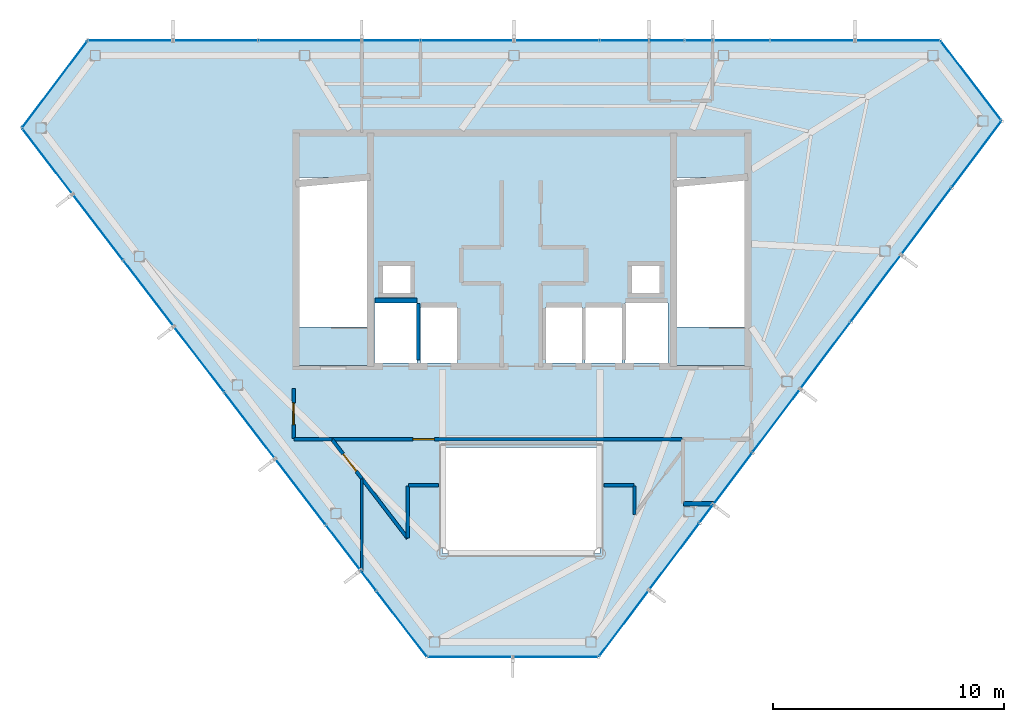
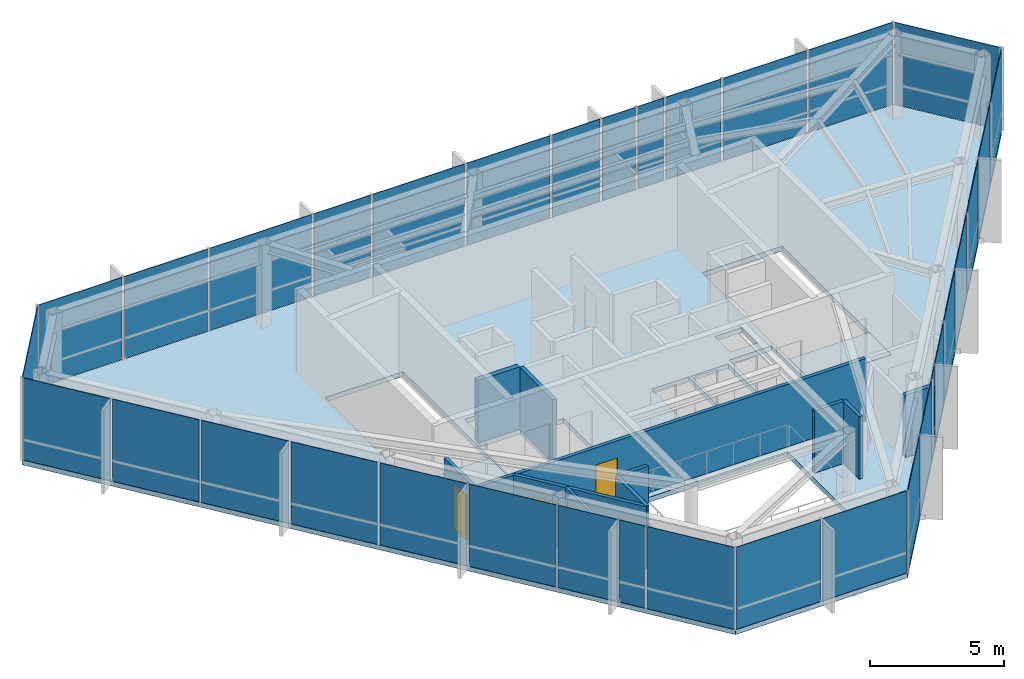
# One storey, part 18 of 21: 34 plates, 13 walls, 3 doors, 3 slabs, 3 openings, 6 elements without a shape of their own.
"""IFC4 building model written with IfcOpenShell, lengths in metres."""

from ifc_helpers import new_model, si_unit, direction, frame, frame_2d, origin, origin_2d, place, context, subcontext, project, spatial, polyline, rectangle, outline, extrude, material, layer, layer_set, type_object, element, fill, aggregate, save


model = new_model("IFC4")

# Units and contexts
model_context = context("Model", 3, precision=1e-05, world=origin(), true_north=direction((0.0, 1.0)))
body_context = subcontext(model_context, "Body", "Model", "MODEL_VIEW")
ifc_project = project(units=[si_unit("LENGTHUNIT", "METRE"), si_unit("AREAUNIT", "SQUARE_METRE"), si_unit("VOLUMEUNIT", "CUBIC_METRE"), si_unit("PLANEANGLEUNIT", "RADIAN"), si_unit("MASSUNIT", "GRAM", prefix="KILO")], contexts=[model_context])

# Site, building, storey
site_placement = place(None, origin())
site = spatial("IfcSite", under=ifc_project, at=site_placement, CompositionType="ELEMENT")
building_placement = place(site_placement, origin())
building = spatial("IfcBuilding", under=site, at=building_placement, Name="Zarrinselat Tower", CompositionType="ELEMENT")
storey_placement = place(building_placement, frame((0.0, 0.0, 299.199951171875)))
storey = spatial("IfcBuildingStorey", under=building, at=storey_placement, Name="L77", CompositionType="ELEMENT", Elevation=299.199951171875)

# Curtain wall, plates
ifc_material_1 = material(Name="Extruded Aluminium Alloy EN AW-6063 T6", Category="aluminium")
ifc_layer_1 = layer(ifc_material_1, 0.169921875)
ifc_layer_set_1 = layer_set([ifc_layer_1], Name="Extruded Aluminium Alloy EN AW-6063 T6")
curtain_wall_type_1 = type_object("IfcCurtainWallType", Name="CWS-RES", PredefinedType="NOTDEFINED", material=ifc_layer_set_1)
curtain_wall_1_placement = place(storey_placement, origin())
curtain_wall_1 = element("IfcCurtainWall", 1, at=curtain_wall_1_placement, inside=storey, type_object=curtain_wall_type_1, Name="L77 Unitised Curtain Wall CW-L77-E01", PredefinedType="NOTDEFINED")
ifc_material_2 = material(Name="Double Low-E Laminated Solar Glass", Category="glass")
ifc_layer_2 = layer(ifc_material_2, 0.028076171875)
ifc_layer_set_2 = layer_set([ifc_layer_2], Name="Double Low-E Laminated Solar Glass")
plate_type = type_object("IfcPlateType", Name="PLT-CW-GL28", PredefinedType="CURTAIN_PANEL", material=ifc_layer_set_2)
plate_1_placement = place(storey_placement, frame((54.686767578125, 47.39990234375, 0.02001953125), z_axis=(0.0, 0.0, 1.0), x_axis=(-1.0, 0.0, 0.0)))
plate_1 = element("IfcPlate", 2, at=plate_1_placement, type_object=plate_type, Name="CW-L77-E01 Vision Glass Panel 1", PredefinedType="CURTAIN_PANEL", context=body_context, shape_type="SweptSolid", body=[
    extrude(rectangle(XDim=3.58837890625, YDim=0.028076171875, at=origin_2d()), origin(), (0.0, 0.0, 1.0), 3.739990234375),
])
plate_2_placement = place(storey_placement, frame((50.99853515625, 47.39990234375, 0.02001953125), z_axis=(0.0, 0.0, 1.0), x_axis=(-1.0, 0.0, 0.0)))
plate_2 = element("IfcPlate", 3, at=plate_2_placement, type_object=plate_type, Name="CW-L77-E01 Vision Glass Panel 2", PredefinedType="CURTAIN_PANEL", context=body_context, shape_type="SweptSolid", body=[
    extrude(rectangle(XDim=3.58837890625, YDim=0.028076171875, at=origin_2d()), origin(), (0.0, 0.0, 1.0), 3.739990234375),
])
plate_3_placement = place(storey_placement, frame((47.918212890625, 47.39990234375, 0.02001953125), z_axis=(0.0, 0.0, 1.0), x_axis=(-1.0, 0.0, 0.0)))
plate_3 = element("IfcPlate", 4, at=plate_3_placement, type_object=plate_type, Name="CW-L77-E01 Vision Glass Panel 3", PredefinedType="CURTAIN_PANEL", context=body_context, shape_type="SweptSolid", body=[
    extrude(rectangle(XDim=2.372314453125, YDim=0.028076171875, at=origin_2d()), origin(), (0.0, 0.0, 1.0), 3.739990234375),
])
plate_4_placement = place(storey_placement, frame((46.07421875, 47.39990234375, 0.02001953125), z_axis=(0.0, 0.0, 1.0), x_axis=(-1.0, 0.0, 0.0)))
plate_4 = element("IfcPlate", 5, at=plate_4_placement, type_object=plate_type, Name="CW-L77-E01 Vision Glass Panel 4", PredefinedType="CURTAIN_PANEL", context=body_context, shape_type="SweptSolid", body=[
    extrude(rectangle(XDim=1.1162109375, YDim=0.028076171875, at=origin_2d()), origin(), (0.0, 0.0, 1.0), 3.739990234375),
])
plate_5_placement = place(storey_placement, frame((44.69921875, 47.39990234375, 0.02001953125), z_axis=(0.0, 0.0, 1.0), x_axis=(-1.0, 0.0, 0.0)))
plate_5 = element("IfcPlate", 6, at=plate_5_placement, type_object=plate_type, Name="CW-L77-E01 Vision Glass Panel 5", PredefinedType="CURTAIN_PANEL", context=body_context, shape_type="SweptSolid", body=[
    extrude(rectangle(XDim=1.433837890625, YDim=0.028076171875, at=origin_2d()), origin(), (0.0, 0.0, 1.0), 3.739990234375),
])
plate_6_placement = place(storey_placement, frame((42.85498046875, 47.39990234375, 0.02001953125), z_axis=(0.0, 0.0, 1.0), x_axis=(-1.0, 0.0, 0.0)))
plate_6 = element("IfcPlate", 7, at=plate_6_placement, type_object=plate_type, Name="CW-L77-E01 Vision Glass Panel 6", PredefinedType="CURTAIN_PANEL", context=body_context, shape_type="SweptSolid", body=[
    extrude(rectangle(XDim=2.054443359375, YDim=0.028076171875, at=origin_2d()), origin(), (0.0, 0.0, 1.0), 3.739990234375),
])
plate_7_placement = place(storey_placement, frame((39.93359375, 47.39990234375, 0.02001953125), z_axis=(0.0, 0.0, 1.0), x_axis=(-1.0, 0.0, 0.0)))
plate_7 = element("IfcPlate", 8, at=plate_7_placement, type_object=plate_type, Name="CW-L77-E01 Vision Glass Panel 7", PredefinedType="CURTAIN_PANEL", context=body_context, shape_type="SweptSolid", body=[
    extrude(rectangle(XDim=3.58837890625, YDim=0.028076171875, at=origin_2d()), origin(), (0.0, 0.0, 1.0), 3.739990234375),
])
plate_8_placement = place(storey_placement, frame((36.069580078125, 47.39990234375, 0.02001953125), z_axis=(0.0, 0.0, 1.0), x_axis=(-1.0, 0.0, 0.0)))
plate_8 = element("IfcPlate", 9, at=plate_8_placement, type_object=plate_type, Name="CW-L77-E01 Vision Glass Panel 8", PredefinedType="CURTAIN_PANEL", context=body_context, shape_type="SweptSolid", body=[
    extrude(rectangle(XDim=3.939453125, YDim=0.028076171875, at=origin_2d()), origin(), (0.0, 0.0, 1.0), 3.739990234375),
])
plate_9_placement = place(storey_placement, frame((32.77490234375, 47.39990234375, 0.02001953125), z_axis=(0.0, 0.0, 1.0), x_axis=(-1.0, 0.0, 0.0)))
plate_9 = element("IfcPlate", 10, at=plate_9_placement, type_object=plate_type, Name="CW-L77-E01 Vision Glass Panel 9", PredefinedType="CURTAIN_PANEL", context=body_context, shape_type="SweptSolid", body=[
    extrude(rectangle(XDim=2.449951171875, YDim=0.028076171875, at=origin_2d()), origin(), (0.0, 0.0, 1.0), 3.739990234375),
])
plate_10_placement = place(storey_placement, frame((29.26220703125, 47.39990234375, 0.02001953125), z_axis=(0.0, 0.0, 1.0), x_axis=(-1.0, 0.0, 0.0)))
plate_10 = element("IfcPlate", 11, at=plate_10_placement, type_object=plate_type, Name="CW-L77-E01 Vision Glass Panel 10", PredefinedType="CURTAIN_PANEL", context=body_context, shape_type="SweptSolid", body=[
    extrude(rectangle(XDim=4.37548828125, YDim=0.028076171875, at=origin_2d()), origin(), (0.0, 0.0, 1.0), 3.739990234375),
])
plate_11_placement = place(storey_placement, frame((25.180419921875, 47.39990234375, 0.02001953125), z_axis=(0.0, 0.0, 1.0), x_axis=(-1.0, 0.0, 0.0)))
plate_11 = element("IfcPlate", 12, at=plate_11_placement, type_object=plate_type, Name="CW-L77-E01 Vision Glass Panel 11", PredefinedType="CURTAIN_PANEL", context=body_context, shape_type="SweptSolid", body=[
    extrude(rectangle(XDim=3.58837890625, YDim=0.028076171875, at=origin_2d()), origin(), (0.0, 0.0, 1.0), 3.739990234375),
])
plate_12_placement = place(storey_placement, frame((21.4921875, 47.39990234375, 0.02001953125), z_axis=(0.0, 0.0, 1.0), x_axis=(-1.0, 0.0, 0.0)))
plate_12 = element("IfcPlate", 13, at=plate_12_placement, type_object=plate_type, Name="CW-L77-E01 Vision Glass Panel 12", PredefinedType="CURTAIN_PANEL", context=body_context, shape_type="SweptSolid", body=[
    extrude(rectangle(XDim=3.58837890625, YDim=0.028076171875, at=origin_2d()), origin(), (0.0, 0.0, 1.0), 3.739990234375),
])
aggregate(curtain_wall_1, [plate_1, plate_2, plate_3, plate_4, plate_5, plate_6, plate_7, plate_8, plate_9, plate_10, plate_11, plate_12])

# Curtain wall, plate
curtain_wall_2_placement = place(storey_placement, origin())
curtain_wall_2 = element("IfcCurtainWall", 14, at=curtain_wall_2_placement, inside=storey, type_object=curtain_wall_type_1, Name="L77 Unitised Curtain Wall CW-L77-E02", PredefinedType="NOTDEFINED")
plate_13_placement = place(storey_placement, frame((18.22412109375, 45.505859375, 0.02001953125), z_axis=(0.0, 0.0, 1.0), x_axis=(-0.600850422382, -0.799361476382, 0.0)))
plate_13 = element("IfcPlate", 15, at=plate_13_placement, type_object=plate_type, Name="CW-L77-E02 Vision Glass Panel 1", PredefinedType="CURTAIN_PANEL", context=body_context, shape_type="SweptSolid", body=[
    extrude(rectangle(XDim=4.639404296875, YDim=0.028076171875, at=origin_2d()), origin(), (0.0, 0.0, 1.0), 3.739990234375),
])
aggregate(curtain_wall_2, [plate_13])

# Curtain wall, plates
curtain_wall_3_placement = place(storey_placement, origin())
curtain_wall_3 = element("IfcCurtainWall", 16, at=curtain_wall_3_placement, inside=storey, type_object=curtain_wall_type_1, Name="L77 Unitised Curtain Wall CW-L77-E03", PredefinedType="NOTDEFINED")
plate_14_placement = place(storey_placement, frame((17.8955078125, 42.18115234375, 0.02001953125), z_axis=(0.0, 0.0, 1.0), x_axis=(0.607898371255, -0.794014842572, 0.0)))
plate_14 = element("IfcPlate", 17, at=plate_14_placement, type_object=plate_type, Name="CW-L77-E03 Vision Glass Panel 1", PredefinedType="CURTAIN_PANEL", context=body_context, shape_type="SweptSolid", body=[
    extrude(rectangle(XDim=3.50341796875, YDim=0.028076171875, at=origin_2d()), origin(), (0.0, 0.0, 1.0), 3.739990234375),
])
plate_15_placement = place(storey_placement, frame((20.0859375, 39.320068359375, 0.02001953125), z_axis=(0.0, 0.0, 1.0), x_axis=(0.607898371255, -0.794014842572, 0.0)))
plate_15 = element("IfcPlate", 18, at=plate_15_placement, type_object=plate_type, Name="CW-L77-E03 Vision Glass Panel 2", PredefinedType="CURTAIN_PANEL", context=body_context, shape_type="SweptSolid", body=[
    extrude(rectangle(XDim=3.50341796875, YDim=0.028076171875, at=origin_2d()), origin(), (0.0, 0.0, 1.0), 3.739990234375),
])
plate_16_placement = place(storey_placement, frame((22.2763671875, 36.458984375, 0.02001953125), z_axis=(0.0, 0.0, 1.0), x_axis=(0.607898371255, -0.794014842572, 0.0)))
plate_16 = element("IfcPlate", 19, at=plate_16_placement, type_object=plate_type, Name="CW-L77-E03 Vision Glass Panel 3", PredefinedType="CURTAIN_PANEL", context=body_context, shape_type="SweptSolid", body=[
    extrude(rectangle(XDim=3.50341796875, YDim=0.028076171875, at=origin_2d()), origin(), (0.0, 0.0, 1.0), 3.739990234375),
])
plate_17_placement = place(storey_placement, frame((24.466796875, 33.597900390625, 0.02001953125), z_axis=(0.0, 0.0, 1.0), x_axis=(0.607898371255, -0.794014842572, 0.0)))
plate_17 = element("IfcPlate", 20, at=plate_17_placement, type_object=plate_type, Name="CW-L77-E03 Vision Glass Panel 4", PredefinedType="CURTAIN_PANEL", context=body_context, shape_type="SweptSolid", body=[
    extrude(rectangle(XDim=3.50341796875, YDim=0.028076171875, at=origin_2d()), origin(), (0.0, 0.0, 1.0), 3.739990234375),
])
plate_18_placement = place(storey_placement, frame((26.6572265625, 30.73681640625, 0.02001953125), z_axis=(0.0, 0.0, 1.0), x_axis=(0.607898371255, -0.794014842572, 0.0)))
plate_18 = element("IfcPlate", 21, at=plate_18_placement, type_object=plate_type, Name="CW-L77-E03 Vision Glass Panel 5", PredefinedType="CURTAIN_PANEL", context=body_context, shape_type="SweptSolid", body=[
    extrude(rectangle(XDim=3.50341796875, YDim=0.028076171875, at=origin_2d()), origin(), (0.0, 0.0, 1.0), 3.739990234375),
])
plate_19_placement = place(storey_placement, frame((28.84765625, 27.8759765625, 0.02001953125), z_axis=(0.0, 0.0, 1.0), x_axis=(0.607898371255, -0.794014842572, 0.0)))
plate_19 = element("IfcPlate", 22, at=plate_19_placement, type_object=plate_type, Name="CW-L77-E03 Vision Glass Panel 6", PredefinedType="CURTAIN_PANEL", context=body_context, shape_type="SweptSolid", body=[
    extrude(rectangle(XDim=3.50341796875, YDim=0.028076171875, at=origin_2d()), origin(), (0.0, 0.0, 1.0), 3.739990234375),
])
plate_20_placement = place(storey_placement, frame((30.697509765625, 25.459716796875, 0.02001953125), z_axis=(0.0, 0.0, 1.0), x_axis=(0.607898371255, -0.794014842572, 0.0)))
plate_20 = element("IfcPlate", 23, at=plate_20_placement, type_object=plate_type, Name="CW-L77-E03 Vision Glass Panel 7", PredefinedType="CURTAIN_PANEL", context=body_context, shape_type="SweptSolid", body=[
    extrude(rectangle(XDim=2.383056640625, YDim=0.028076171875, at=origin_2d()), origin(), (0.0, 0.0, 1.0), 3.739990234375),
])
plate_21_placement = place(storey_placement, frame((31.792724609375, 24.029052734375, 0.02001953125), z_axis=(0.0, 0.0, 1.0), x_axis=(0.607898371255, -0.794014842572, 0.0)))
plate_21 = element("IfcPlate", 24, at=plate_21_placement, type_object=plate_type, Name="CW-L77-E03 Vision Glass Panel 8", PredefinedType="CURTAIN_PANEL", context=body_context, shape_type="SweptSolid", body=[
    extrude(rectangle(XDim=1.02001953125, YDim=0.028076171875, at=origin_2d()), origin(), (0.0, 0.0, 1.0), 3.739990234375),
])
plate_22_placement = place(storey_placement, frame((33.228515625, 22.15380859375, 0.02001953125), z_axis=(0.0, 0.0, 1.0), x_axis=(0.607898371255, -0.794014842572, 0.0)))
plate_22 = element("IfcPlate", 25, at=plate_22_placement, type_object=plate_type, Name="CW-L77-E03 Vision Glass Panel 9", PredefinedType="CURTAIN_PANEL", context=body_context, shape_type="SweptSolid", body=[
    extrude(rectangle(XDim=3.50341796875, YDim=0.028076171875, at=origin_2d()), origin(), (0.0, 0.0, 1.0), 3.739990234375),
])
aggregate(curtain_wall_3, [plate_14, plate_15, plate_16, plate_17, plate_18, plate_19, plate_20, plate_21, plate_22])

curtain_wall_4_placement = place(storey_placement, origin())
curtain_wall_4 = element("IfcCurtainWall", 26, at=curtain_wall_4_placement, inside=storey, type_object=curtain_wall_type_1, Name="L77 Unitised Curtain Wall CW-L77-E04", PredefinedType="NOTDEFINED")
plate_23_placement = place(storey_placement, frame((36.1796875, 20.723388671875, 0.02001953125), z_axis=(0.0, 0.0, 1.0), x_axis=(1.0, 0.0, 0.0)))
plate_23 = element("IfcPlate", 27, at=plate_23_placement, type_object=plate_type, Name="CW-L77-E04 Vision Glass Panel 1", PredefinedType="CURTAIN_PANEL", context=body_context, shape_type="SweptSolid", body=[
    extrude(rectangle(XDim=3.6123046875, YDim=0.028076171875, at=origin_2d()), origin(), (0.0, 0.0, 1.0), 3.739990234375),
])
plate_24_placement = place(storey_placement, frame((39.89208984375, 20.723388671875, 0.02001953125), z_axis=(0.0, 0.0, 1.0), x_axis=(1.0, 0.0, 0.0)))
plate_24 = element("IfcPlate", 28, at=plate_24_placement, type_object=plate_type, Name="CW-L77-E04 Vision Glass Panel 2", PredefinedType="CURTAIN_PANEL", context=body_context, shape_type="SweptSolid", body=[
    extrude(rectangle(XDim=3.6123046875, YDim=0.028076171875, at=origin_2d()), origin(), (0.0, 0.0, 1.0), 3.739990234375),
])
aggregate(curtain_wall_4, [plate_23, plate_24])

ifc_material_3 = material(Name="Extruded Aluminium Alloy EN AW-6063 T6", Category="aluminium")
ifc_layer_3 = layer(ifc_material_3, 0.199951171875)
ifc_layer_set_3 = layer_set([ifc_layer_3], Name="Extruded Aluminium Alloy EN AW-6063 T6")
curtain_wall_type_2 = type_object("IfcCurtainWallType", Name="CWS-BLADE", PredefinedType="NOTDEFINED", material=ifc_layer_set_3)
curtain_wall_5_placement = place(storey_placement, origin())
curtain_wall_5 = element("IfcCurtainWall", 29, at=curtain_wall_5_placement, inside=storey, type_object=curtain_wall_type_2, Name="L77 Unitised Curtain Wall CW-L77-E05", PredefinedType="NOTDEFINED")
plate_25_placement = place(storey_placement, frame((42.83837890625, 22.173583984375, 0.02001953125), z_axis=(0.0, 0.0, 1.0), x_axis=(0.600848494465, 0.799362925522, 0.0)))
plate_25 = element("IfcPlate", 30, at=plate_25_placement, type_object=plate_type, Name="CW-L77-E05 Vision Glass Panel 1", PredefinedType="CURTAIN_PANEL", context=body_context, shape_type="SweptSolid", body=[
    extrude(rectangle(XDim=3.528564453125, YDim=0.028076171875, at=origin_2d()), origin(), (0.0, 0.0, 1.0), 3.739990234375),
])
plate_26_placement = place(storey_placement, frame((45.0185546875, 25.073974609375, 0.02001953125), z_axis=(0.0, 0.0, 1.0), x_axis=(0.600848494465, 0.799362925522, 0.0)))
plate_26 = element("IfcPlate", 31, at=plate_26_placement, type_object=plate_type, Name="CW-L77-E05 Vision Glass Panel 2", PredefinedType="CURTAIN_PANEL", context=body_context, shape_type="SweptSolid", body=[
    extrude(rectangle(XDim=3.528564453125, YDim=0.028076171875, at=origin_2d()), origin(), (0.0, 0.0, 1.0), 3.739990234375),
])
plate_27_placement = place(storey_placement, frame((46.405517578125, 26.919189453125, 0.02001953125), z_axis=(0.0, 0.0, 1.0), x_axis=(0.600848494465, 0.799362925522, 0.0)))
plate_27 = element("IfcPlate", 32, at=plate_27_placement, type_object=plate_type, Name="CW-L77-E05 Vision Glass Panel 3", PredefinedType="CURTAIN_PANEL", context=body_context, shape_type="SweptSolid", body=[
    extrude(rectangle(XDim=0.887939453125, YDim=0.028076171875, at=origin_2d()), origin(), (0.0, 0.0, 1.0), 3.739990234375),
])
plate_28_placement = place(storey_placement, frame((47.550048828125, 28.44189453125, 0.02001953125), z_axis=(0.0, 0.0, 1.0), x_axis=(0.600848494465, 0.799362925522, 0.0)))
plate_28 = element("IfcPlate", 33, at=plate_28_placement, type_object=plate_type, Name="CW-L77-E05 Vision Glass Panel 4", PredefinedType="CURTAIN_PANEL", context=body_context, shape_type="SweptSolid", body=[
    extrude(rectangle(XDim=2.722412109375, YDim=0.028076171875, at=origin_2d()), origin(), (0.0, 0.0, 1.0), 3.739990234375),
])
plate_29_placement = place(storey_placement, frame((49.433349609375, 30.94775390625, 0.02001953125), z_axis=(0.0, 0.0, 1.0), x_axis=(0.600848494465, 0.799362925522, 0.0)))
plate_29 = element("IfcPlate", 34, at=plate_29_placement, type_object=plate_type, Name="CW-L77-E05 Vision Glass Panel 5", PredefinedType="CURTAIN_PANEL", context=body_context, shape_type="SweptSolid", body=[
    extrude(rectangle(XDim=3.3466796875, YDim=0.028076171875, at=origin_2d()), origin(), (0.0, 0.0, 1.0), 3.739990234375),
])
plate_30_placement = place(storey_placement, frame((51.55908203125, 33.775634765625, 0.02001953125), z_axis=(0.0, 0.0, 1.0), x_axis=(0.600848494465, 0.799362925522, 0.0)))
plate_30 = element("IfcPlate", 35, at=plate_30_placement, type_object=plate_type, Name="CW-L77-E05 Vision Glass Panel 6", PredefinedType="CURTAIN_PANEL", context=body_context, shape_type="SweptSolid", body=[
    extrude(rectangle(XDim=3.528564453125, YDim=0.028076171875, at=origin_2d()), origin(), (0.0, 0.0, 1.0), 3.739990234375),
])
plate_31_placement = place(storey_placement, frame((53.7392578125, 36.676025390625, 0.02001953125), z_axis=(0.0, 0.0, 1.0), x_axis=(0.600848494465, 0.799362925522, 0.0)))
plate_31 = element("IfcPlate", 36, at=plate_31_placement, type_object=plate_type, Name="CW-L77-E05 Vision Glass Panel 7", PredefinedType="CURTAIN_PANEL", context=body_context, shape_type="SweptSolid", body=[
    extrude(rectangle(XDim=3.528564453125, YDim=0.028076171875, at=origin_2d()), origin(), (0.0, 0.0, 1.0), 3.739990234375),
])
plate_32_placement = place(storey_placement, frame((55.91943359375, 39.57666015625, 0.02001953125), z_axis=(0.0, 0.0, 1.0), x_axis=(0.600848494465, 0.799362925522, 0.0)))
plate_32 = element("IfcPlate", 37, at=plate_32_placement, type_object=plate_type, Name="CW-L77-E05 Vision Glass Panel 8", PredefinedType="CURTAIN_PANEL", context=body_context, shape_type="SweptSolid", body=[
    extrude(rectangle(XDim=3.528564453125, YDim=0.028076171875, at=origin_2d()), origin(), (0.0, 0.0, 1.0), 3.739990234375),
])
plate_33_placement = place(storey_placement, frame((58.099609375, 42.47705078125, 0.02001953125), z_axis=(0.0, 0.0, 1.0), x_axis=(0.600848494465, 0.799362925522, 0.0)))
plate_33 = element("IfcPlate", 38, at=plate_33_placement, type_object=plate_type, Name="CW-L77-E05 Vision Glass Panel 9", PredefinedType="CURTAIN_PANEL", context=body_context, shape_type="SweptSolid", body=[
    extrude(rectangle(XDim=3.528564453125, YDim=0.028076171875, at=origin_2d()), origin(), (0.0, 0.0, 1.0), 3.739990234375),
])
aggregate(curtain_wall_5, [plate_25, plate_26, plate_27, plate_28, plate_29, plate_30, plate_31, plate_32, plate_33])

# Curtain wall, plate
curtain_wall_6_placement = place(storey_placement, origin())
curtain_wall_6 = element("IfcCurtainWall", 39, at=curtain_wall_6_placement, inside=storey, type_object=curtain_wall_type_1, Name="L77 Unitised Curtain Wall CW-L77-E06", PredefinedType="NOTDEFINED")
plate_34_placement = place(storey_placement, frame((57.8603515625, 45.663818359375, 0.02001953125), z_axis=(0.0, 0.0, 1.0), x_axis=(-0.607898114921, 0.794015038822, 0.0)))
plate_34 = element("IfcPlate", 40, at=plate_34_placement, type_object=plate_type, Name="CW-L77-E06 Vision Glass Panel 1", PredefinedType="CURTAIN_PANEL", context=body_context, shape_type="SweptSolid", body=[
    extrude(rectangle(XDim=4.273681640625, YDim=0.028076171875, at=origin_2d()), origin(), (0.0, 0.0, 1.0), 3.739990234375),
])
aggregate(curtain_wall_6, [plate_34])

# Slabs
ifc_material_4 = material(Name="Concrete C40/50", Category="concrete")
ifc_layer_4 = layer(ifc_material_4, 0.219970703125)
ifc_layer_set_4 = layer_set([ifc_layer_4], Name="Concrete C40/50")
slab_type = type_object("IfcSlabType", Name="SLB-FLOOR-220-SL-RS220", PredefinedType="FLOOR", material=ifc_layer_set_4)
slab_1_placement = place(storey_placement, frame((0.0, 0.0, -0.219970703125)))
element("IfcSlab", 41, at=slab_1_placement, inside=storey, type_object=slab_type, Name="L77 Primary Structural Slab", PredefinedType="FLOOR", context=body_context, shape_type="SweptSolid", body=[
    extrude(outline(polyline([(56.531005859375, 47.39990234375), (19.64794921875, 47.39990234375), (16.80029296875, 43.611572265625), (34.32373046875, 20.723388671875), (41.748291015625, 20.723388671875), (59.189697265625, 43.92724609375), (56.531005859375, 47.39990234375)]), holes=[polyline([(41.800048828125, 25.199951171875), (35.0, 25.199951171875), (35.0, 29.800048828125), (41.800048828125, 29.800048828125), (41.800048828125, 25.199951171875)]), polyline([(35.64990234375, 33.449951171875), (34.050048828125, 33.449951171875), (34.050048828125, 35.85009765625), (35.64990234375, 35.85009765625), (35.64990234375, 33.449951171875)]), polyline([(41.050048828125, 33.449951171875), (39.449951171875, 33.449951171875), (39.449951171875, 35.85009765625), (41.050048828125, 35.85009765625), (41.050048828125, 33.449951171875)]), polyline([(41.14990234375, 33.449951171875), (41.14990234375, 35.85009765625), (42.75, 35.85009765625), (42.75, 33.449951171875), (41.14990234375, 33.449951171875)]), polyline([(32.06005859375, 33.449951171875), (32.06005859375, 36.050048828125), (33.89990234375, 36.050048828125), (33.89990234375, 33.449951171875), (32.06005859375, 33.449951171875)]), polyline([(44.739990234375, 33.449951171875), (42.89990234375, 33.449951171875), (42.89990234375, 36.050048828125), (44.739990234375, 36.050048828125), (44.739990234375, 33.449951171875)]), polyline([(33.60009765625, 36.47998046875), (32.419921875, 36.47998046875), (32.419921875, 37.639892578125), (33.60009765625, 37.639892578125), (33.60009765625, 36.47998046875)]), polyline([(44.3798828125, 36.47998046875), (43.199951171875, 36.47998046875), (43.199951171875, 37.639892578125), (44.3798828125, 37.639892578125), (44.3798828125, 36.47998046875)]), polyline([(31.985107421875, 33.324951171875), (28.60498046875, 33.324951171875), (28.60498046875, 41.47509765625), (31.985107421875, 41.47509765625), (31.985107421875, 33.324951171875)]), polyline([(48.324951171875, 33.324951171875), (44.875, 33.324951171875), (44.875, 41.47509765625), (48.324951171875, 41.47509765625), (48.324951171875, 33.324951171875)])]), origin(), (0.0, 0.0, 1.0), 0.219970703125),
])
slab_2_placement = place(storey_placement, frame((0.0, 0.0, -0.219970703125)))
element("IfcSlab", 42, at=slab_2_placement, inside=storey, type_object=slab_type, Name="L77 Stair ST-1-FL1 Structural Floor Landing", PredefinedType="FLOOR", context=body_context, shape_type="SweptSolid", body=[
    extrude(outline(polyline([(31.97998046875, 33.330078125), (31.97998046875, 35.0), (28.610107421875, 35.0), (28.610107421875, 33.330078125), (31.97998046875, 33.330078125)])), origin(), (0.0, 0.0, 1.0), 0.219970703125),
])
slab_3_placement = place(storey_placement, frame((0.0, 0.0, -0.219970703125)))
element("IfcSlab", 43, at=slab_3_placement, inside=storey, type_object=slab_type, Name="L77 Stair ST-2-FL1 Structural Floor Landing", PredefinedType="FLOOR", context=body_context, shape_type="SweptSolid", body=[
    extrude(outline(polyline([(48.320068359375, 33.330078125), (48.320068359375, 35.0), (44.8798828125, 35.0), (44.8798828125, 33.330078125), (48.320068359375, 33.330078125)])), origin(), (0.0, 0.0, 1.0), 0.219970703125),
])

# Wall
ifc_material_5 = material(Name="Concrete C40/50", Category="concrete")
ifc_layer_5 = layer(ifc_material_5, 0.18994140625)
ifc_layer_set_5 = layer_set([ifc_layer_5], Name="Concrete C40/50")
wall_type_1 = type_object("IfcWallType", Name="WAL-PART-EI120", PredefinedType="PARTITIONING", material=ifc_layer_set_5)
wall_1_placement = place(storey_placement, frame((45.419921875, 27.35009765625, 0.0), z_axis=(0.0, 0.0, 1.0), x_axis=(1.0, 0.0, 0.0)))
element("IfcWall", 44, at=wall_1_placement, inside=storey, type_object=wall_type_1, Name="L77 Partition Wall 17", PredefinedType="PARTITIONING", context=body_context, shape_type="SweptSolid", body=[
    extrude(rectangle(XDim=1.294189453125, YDim=0.18994140625, at=frame_2d((0.64697265625, 0.0))), origin(), (0.0, 0.0, 1.0), 2.8349609375),
])

# Wall, opening, door
ifc_material_6 = material(Name="Fire-Rated Gypsum Board Partition", Category="gypsum")
ifc_layer_6 = layer(ifc_material_6, 0.14990234375)
ifc_layer_set_6 = layer_set([ifc_layer_6], Name="Fire-Rated Gypsum Board Partition")
wall_type_2 = type_object("IfcWallType", Name="WAL-PART-EI60", PredefinedType="PARTITIONING", material=ifc_layer_set_6)
wall_2_placement = place(storey_placement, frame((30.209716796875, 30.14990234375, 0.0), z_axis=(0.0, 0.0, 1.0), x_axis=(1.0, 0.0, 0.0)))
wall_2 = element("IfcWall", 45, at=wall_2_placement, inside=storey, type_object=wall_type_2, Name="L77 Partition Wall 12", PredefinedType="PARTITIONING", context=body_context, shape_type="SweptSolid", body=[
    extrude(rectangle(XDim=15.13525390625, YDim=0.14990234375, at=frame_2d((7.567626953125, 0.0))), origin(), (0.0, 0.0, 1.0), 2.8349609375),
])
opening_1_placement = place(wall_2_placement, frame((3.49755859375, 0.0, 0.0)))
opening_1 = element("IfcOpeningElement", 46, at=opening_1_placement, cuts=wall_2, Name="Opening ID-04", PredefinedType="OPENING", context=body_context, shape_type="SweptSolid", body=[
    extrude(rectangle(XDim=0.93994140625, YDim=2.050048828125, at=frame_2d((0.469970703125, 1.02490234375))), frame((0.0, 0.0849609375, 0.0), z_axis=(0.0, -1.0, 0.0), x_axis=(1.0, 0.0, 0.0)), (0.0, 0.0, 1.0), 0.169921875),
])
ifc_material_7 = material(Name="Fire-Rated Gypsum Board Partition")
door_type = type_object("IfcDoorType", Name="DR-INT-FD30-ENT", OperationType="NOTDEFINED", PredefinedType="DOOR", material=ifc_material_7)
door_1_placement = place(opening_1_placement, origin())
door_1 = element("IfcDoor", 47, at=door_1_placement, inside=storey, type_object=door_type, Name="L77 Interior Door P12", OperationType="SINGLE_SWING_LEFT", OverallHeight=2.050048828125, OverallWidth=0.93994140625, PredefinedType="DOOR", context=body_context, shape_type="SweptSolid", body=[
    extrude(rectangle(XDim=0.93994140625, YDim=2.050048828125, at=frame_2d((0.469970703125, 1.02490234375))), frame((0.0, 0.02490234375, 0.0), z_axis=(0.0, -1.0, 0.0), x_axis=(1.0, 0.0, 0.0)), (0.0, 0.0, 1.0), 0.050048828125),
])
fill(opening_1, door_1)

# Wall
wall_3_placement = place(storey_placement, frame((28.570068359375, 30.14990234375, 0.0), z_axis=(0.0, 0.0, 1.0), x_axis=(1.0, 0.0, 0.0)))
element("IfcWall", 48, at=wall_3_placement, inside=storey, type_object=wall_type_2, Name="L77 Partition Wall 13", PredefinedType="PARTITIONING", context=body_context, shape_type="SweptSolid", body=[
    extrude(rectangle(XDim=1.633544921875, YDim=0.14990234375, at=frame_2d((0.81689453125, 0.0))), origin(), (0.0, 0.0, 1.0), 2.8349609375),
])

# Wall, opening, door
wall_4_placement = place(storey_placement, frame((28.550048828125, 30.169921875, 0.0), z_axis=(0.0, 0.0, 1.0), x_axis=(0.0, 1.0, 0.0)))
wall_4 = element("IfcWall", 49, at=wall_4_placement, inside=storey, type_object=wall_type_2, Name="L77 Partition Wall 14", PredefinedType="PARTITIONING", context=body_context, shape_type="SweptSolid", body=[
    extrude(rectangle(XDim=2.166259765625, YDim=0.14990234375, at=frame_2d((1.0830078125, 0.0))), origin(), (0.0, 0.0, 1.0), 2.8349609375),
])
opening_2_placement = place(wall_4_placement, frame((0.613037109375, 0.0, 0.0)))
opening_2 = element("IfcOpeningElement", 50, at=opening_2_placement, cuts=wall_4, Name="Opening ID-04", PredefinedType="OPENING", context=body_context, shape_type="SweptSolid", body=[
    extrude(rectangle(XDim=0.93994140625, YDim=2.050048828125, at=frame_2d((0.469970703125, 1.02490234375))), frame((0.0, 0.0849609375, 0.0), z_axis=(0.0, -1.0, 0.0), x_axis=(1.0, 0.0, 0.0)), (0.0, 0.0, 1.0), 0.169921875),
])
door_2_placement = place(opening_2_placement, origin())
door_2 = element("IfcDoor", 51, at=door_2_placement, inside=storey, type_object=door_type, Name="L77 Interior Door P14", OperationType="SINGLE_SWING_RIGHT", OverallHeight=2.050048828125, OverallWidth=0.93994140625, PredefinedType="DOOR", context=body_context, shape_type="SweptSolid", body=[
    extrude(rectangle(XDim=0.93994140625, YDim=2.050048828125, at=frame_2d((0.469970703125, 1.02490234375))), frame((0.0, 0.02490234375, 0.0), z_axis=(0.0, -1.0, 0.0), x_axis=(1.0, 0.0, 0.0)), (0.0, 0.0, 1.0), 0.050048828125),
])
fill(opening_2, door_2)

# Walls
wall_5_placement = place(storey_placement, frame((43.300048828125, 26.902099609375, 0.0), z_axis=(0.0, 0.0, 1.0), x_axis=(0.0, 1.0, 0.0)))
element("IfcWall", 52, at=wall_5_placement, inside=storey, type_object=wall_type_2, Name="L77 Partition Wall 20", PredefinedType="PARTITIONING", context=body_context, shape_type="SweptSolid", body=[
    extrude(rectangle(XDim=1.227783203125, YDim=0.14990234375, at=frame_2d((0.61376953125, 0.0))), origin(), (0.0, 0.0, 1.0), 2.8349609375),
])
for number, where, z_axis, x_axis, name in (
    (53, (41.97998046875, 28.14990234375, 0.0), (0.0, 0.0, 1.0), (1.0, 0.0, 0.0), "L77 Partition Wall 21"),
    (54, (33.52001953125, 28.14990234375, 0.0), (0.0, 0.0, 1.0), (1.0, 0.0, 0.0), "L77 Partition Wall 22"),
):
    element("IfcWall", number, at=place(storey_placement, frame(where, z_axis=z_axis, x_axis=x_axis)), inside=storey, type_object=wall_type_2, Name=name, PredefinedType="PARTITIONING", context=body_context, shape_type="SweptSolid", body=[
        extrude(rectangle(XDim=1.300048828125, YDim=0.14990234375, at=frame_2d((0.64990234375, 0.0))), origin(), (0.0, 0.0, 1.0), 2.8349609375),
    ])
wall_6_placement = place(storey_placement, frame((33.5, 25.865966796875, 0.0), z_axis=(0.0, 0.0, 1.0), x_axis=(0.0, 1.0, 0.0)))
element("IfcWall", 55, at=wall_6_placement, inside=storey, type_object=wall_type_2, Name="L77 Partition Wall 23", PredefinedType="PARTITIONING", context=body_context, shape_type="SweptSolid", body=[
    extrude(rectangle(XDim=2.263916015625, YDim=0.14990234375, at=frame_2d((1.1318359375, 0.0))), origin(), (0.0, 0.0, 1.0), 2.8349609375),
])
wall_7_placement = place(storey_placement, frame((31.503173828125, 28.4541015625, 0.0), z_axis=(0.0, 0.0, 1.0), x_axis=(0.607891349871, -0.7940202181, 0.0)))
element("IfcWall", 56, at=wall_7_placement, inside=storey, type_object=wall_type_2, Name="L77 Partition Wall 24", PredefinedType="PARTITIONING", context=body_context, shape_type="SweptSolid", body=[
    extrude(rectangle(XDim=3.2646484375, YDim=0.14990234375, at=frame_2d((1.63232421875, 0.0))), origin(), (0.0, 0.0, 1.0), 2.8349609375),
])

# Wall, opening, door
wall_8_placement = place(storey_placement, frame((30.217041015625, 30.134033203125, 0.0), z_axis=(0.0, 0.0, 1.0), x_axis=(0.607857058986, -0.794046469572, 0.0)))
wall_8 = element("IfcWall", 57, at=wall_8_placement, inside=storey, type_object=wall_type_2, Name="L77 Partition Wall 25", PredefinedType="PARTITIONING", context=body_context, shape_type="SweptSolid", body=[
    extrude(rectangle(XDim=2.114990234375, YDim=0.14990234375, at=frame_2d((1.0576171875, 0.0))), origin(), (0.0, 0.0, 1.0), 2.8349609375),
])
opening_3_placement = place(wall_8_placement, frame((0.78759765625, 0.0, 0.0)))
opening_3 = element("IfcOpeningElement", 58, at=opening_3_placement, cuts=wall_8, Name="Opening ID-04", PredefinedType="OPENING", context=body_context, shape_type="SweptSolid", body=[
    extrude(rectangle(XDim=0.93994140625, YDim=2.050048828125, at=frame_2d((0.469970703125, 1.02490234375))), frame((0.0, 0.0849609375, 0.0), z_axis=(0.0, -1.0, 0.0), x_axis=(1.0, 0.0, 0.0)), (0.0, 0.0, 1.0), 0.169921875),
])
door_3_placement = place(opening_3_placement, origin())
door_3 = element("IfcDoor", 59, at=door_3_placement, inside=storey, type_object=door_type, Name="L77 Interior Door P25", OperationType="SINGLE_SWING_LEFT", OverallHeight=2.050048828125, OverallWidth=0.93994140625, PredefinedType="DOOR", context=body_context, shape_type="SweptSolid", body=[
    extrude(rectangle(XDim=0.93994140625, YDim=2.050048828125, at=frame_2d((0.469970703125, 1.02490234375))), frame((0.0, 0.02490234375, 0.0), z_axis=(0.0, -1.0, 0.0), x_axis=(1.0, 0.0, 0.0)), (0.0, 0.0, 1.0), 0.050048828125),
])
fill(opening_3, door_3)

# Walls
ifc_material_8 = material(Name="Fire-Rated Gypsum Board Partition", Category="gypsum")
ifc_layer_7 = layer(ifc_material_8, 0.1201171875)
ifc_layer_set_7 = layer_set([ifc_layer_7], Name="Fire-Rated Gypsum Board Partition")
wall_type_3 = type_object("IfcWallType", Name="WAL-PART-STD", PredefinedType="PARTITIONING", material=ifc_layer_set_7)
wall_9_placement = place(storey_placement, frame((31.5, 24.426513671875, 0.0), z_axis=(0.0, 0.0, 1.0), x_axis=(0.0, 1.0, 0.0)))
element("IfcWall", 60, at=wall_9_placement, inside=storey, type_object=wall_type_3, Name="L77 Partition Wall 26", PredefinedType="PARTITIONING", context=body_context, shape_type="SweptSolid", body=[
    extrude(rectangle(XDim=4.01171875, YDim=0.1201171875, at=frame_2d((2.005859375, 0.0))), origin(), (0.0, 0.0, 1.0), 2.8349609375),
])
ifc_material_9 = material(Name="Concrete C40/50", Category="concrete")
ifc_layer_8 = layer(ifc_material_9, 0.2099609375)
ifc_layer_set_8 = layer_set([ifc_layer_8], Name="Concrete C40/50")
wall_type_4 = type_object("IfcWallType", Name="WAL-SHAFT-210", PredefinedType="SOLIDWALL", material=ifc_layer_set_8)
wall_10_placement = place(storey_placement, frame((32.080078125, 36.155029296875, 0.0), z_axis=(0.0, 0.0, 1.0), x_axis=(1.0, 0.0, 0.0)))
element("IfcWall", 61, at=wall_10_placement, inside=storey, type_object=wall_type_4, Name="L77 Lift FFL1 North Shaft Wall", PredefinedType="SOLIDWALL", context=body_context, shape_type="SweptSolid", body=[
    extrude(rectangle(XDim=1.7998046875, YDim=0.2099609375, at=frame_2d((0.89990234375, 0.0))), origin(), (0.0, 0.0, 1.0), 2.85009765625),
])
wall_11_placement = place(storey_placement, frame((33.949951171875, 33.580078125, 0.0), z_axis=(0.0, 0.0, 1.0), x_axis=(0.0, 1.0, 0.0)))
element("IfcWall", 62, at=wall_11_placement, inside=storey, type_object=wall_type_4, Name="L77 Lift FFL1 E Shaft Wall", PredefinedType="SOLIDWALL", context=body_context, shape_type="SweptSolid", body=[
    extrude(rectangle(XDim=2.449951171875, YDim=0.159912109375, at=frame_2d((1.22509765625, 0.0))), origin(), (0.0, 0.0, 1.0), 2.85009765625),
])

save(model, "model.ifc")
